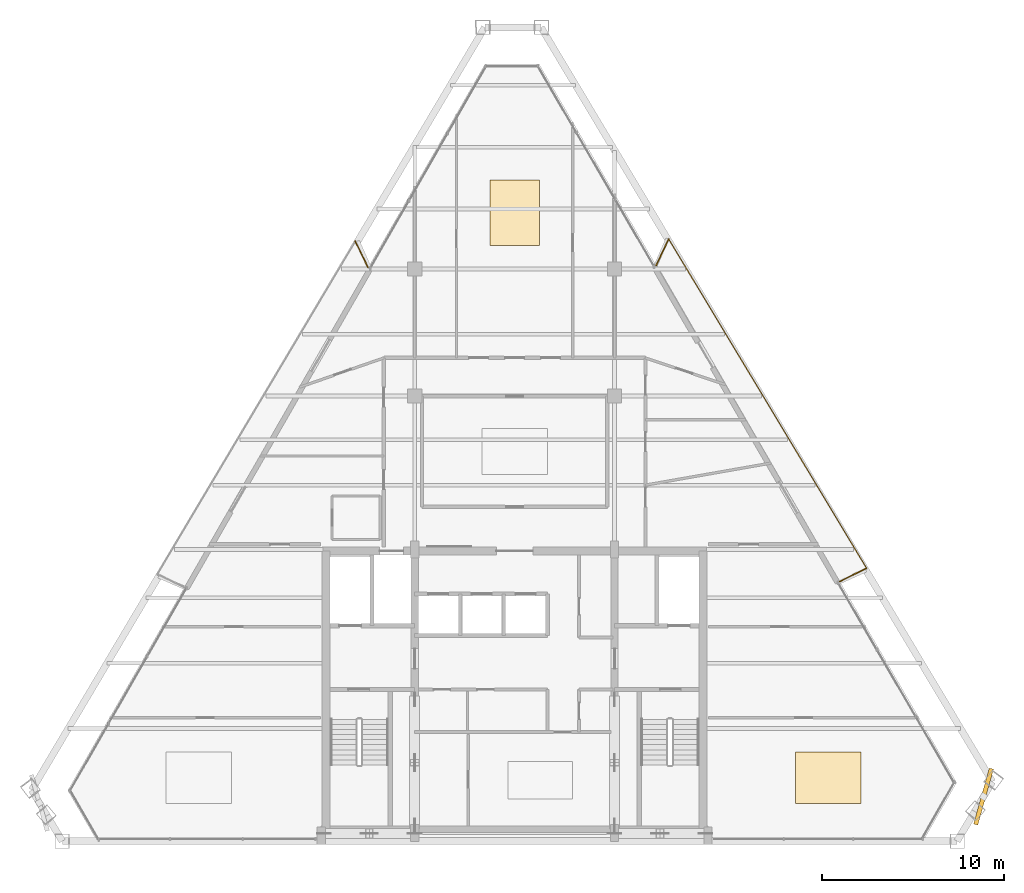
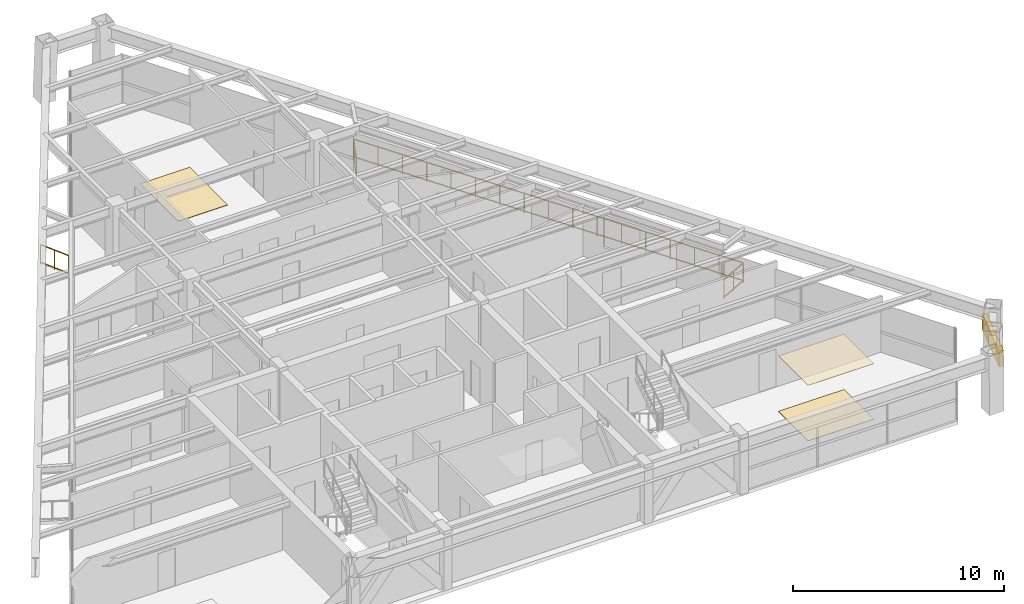
# One storey, part 13 of 13: 4 railings, 3 coverings, 1 shading device.
"""IFC4 building model written with IfcOpenShell, lengths in metres."""

from ifc_helpers import new_model, si_unit, direction, frame, origin, origin_2d, place, context, subcontext, project, spatial, rectangle, extrude, source, transform, mapped, material, layer, layer_set, type_object, type_shapes, element, save


model = new_model("IFC4")

# Units and contexts
model_context = context("Model", 3, precision=1e-05, world=origin(), true_north=direction((0.0, 1.0)))
body_context = subcontext(model_context, "Body", "Model", "MODEL_VIEW")
ifc_project = project(units=[si_unit("LENGTHUNIT", "METRE"), si_unit("AREAUNIT", "SQUARE_METRE"), si_unit("VOLUMEUNIT", "CUBIC_METRE"), si_unit("PLANEANGLEUNIT", "RADIAN"), si_unit("MASSUNIT", "GRAM", prefix="KILO")], contexts=[model_context])

# Site, building, storey
site_placement = place(None, origin())
site = spatial("IfcSite", under=ifc_project, at=site_placement, CompositionType="ELEMENT")
building_placement = place(site_placement, origin())
building = spatial("IfcBuilding", under=site, at=building_placement, Name="Varnakhor Terracotta Tower", CompositionType="ELEMENT")
storey_placement = place(building_placement, frame((0.0, 0.0, 290.25)))
storey = spatial("IfcBuildingStorey", under=building, at=storey_placement, Name="L76", CompositionType="ELEMENT", Elevation=290.25)

# Railings
ifc_material_1 = material(Name="Stainless Steel & Laminated Glass Guardrail", Category="steel")
railing_type = type_object("IfcRailingType", Name="RLG-LOGGIA-GUARD-1150", PredefinedType="GUARDRAIL", material=ifc_material_1)
railing_1_placement = place(storey_placement, frame((7.78759765625, 31.694580078125, 0.0)))
element("IfcRailing", 1, at=railing_1_placement, inside=storey, type_object=railing_type, Name="L76 E Loggia Glass Guard 1", PredefinedType="GUARDRAIL", context=body_context, shape_type="SweptSolid", body=[
    extrude(rectangle(XDim=0.048095703125, YDim=0.048095703125, at=origin_2d()), frame((0.0, 0.0, 1.1259765625), z_axis=(0.430033957897, 0.902812713166, 0.0), x_axis=(-0.902812713166, 0.430033957897, 0.0)), (0.0, 0.0, 1.0), 1.60498046875),
    extrude(rectangle(XDim=0.048095703125, YDim=0.048095703125, at=origin_2d()), frame((0.0, 0.0, 0.10009765625), z_axis=(0.430033957897, 0.902812713166, 0.0), x_axis=(-0.902812713166, 0.430033957897, 0.0)), (0.0, 0.0, 1.0), 1.60498046875),
    extrude(rectangle(XDim=0.0419921875, YDim=0.0419921875, at=origin_2d()), origin(), (0.0, 0.0, 1.0), 1.101806640625),
    extrude(rectangle(XDim=0.0419921875, YDim=0.0419921875, at=origin_2d()), frame((0.34521484375, 0.724609375, 0.0)), (0.0, 0.0, 1.0), 1.101806640625),
    extrude(rectangle(XDim=0.0419921875, YDim=0.0419921875, at=origin_2d()), frame((0.690185546875, 1.448974609375, 0.0)), (0.0, 0.0, 1.0), 1.101806640625),
])
railing_2_placement = place(storey_placement, frame((8.477783203125, 33.1435546875, 0.0)))
element("IfcRailing", 2, at=railing_2_placement, inside=storey, type_object=railing_type, Name="L76 E Loggia Glass Guard 2", PredefinedType="GUARDRAIL", context=body_context, shape_type="SweptSolid", body=[
    extrude(rectangle(XDim=0.048095703125, YDim=0.048095703125, at=origin_2d()), frame((0.0, 0.0, 1.1259765625), z_axis=(0.515178312142, -0.857083022057, 0.0), x_axis=(0.857083022057, 0.515178312142, 0.0)), (0.0, 0.0, 1.0), 21.140380859375),
    extrude(rectangle(XDim=0.048095703125, YDim=0.048095703125, at=origin_2d()), frame((0.0, 0.0, 0.10009765625), z_axis=(0.515178312142, -0.857083022057, 0.0), x_axis=(0.857083022057, 0.515178312142, 0.0)), (0.0, 0.0, 1.0), 21.140380859375),
    extrude(rectangle(XDim=0.0419921875, YDim=0.0419921875, at=origin_2d()), origin(), (0.0, 0.0, 1.0), 1.101806640625),
    extrude(rectangle(XDim=0.0419921875, YDim=0.0419921875, at=origin_2d()), frame((0.6806640625, -1.13232421875, 0.0)), (0.0, 0.0, 1.0), 1.101806640625),
    extrude(rectangle(XDim=0.0419921875, YDim=0.0419921875, at=origin_2d()), frame((1.361328125, -2.264892578125, 0.0)), (0.0, 0.0, 1.0), 1.101806640625),
    extrude(rectangle(XDim=0.0419921875, YDim=0.0419921875, at=origin_2d()), frame((2.0419921875, -3.3974609375, 0.0)), (0.0, 0.0, 1.0), 1.101806640625),
    extrude(rectangle(XDim=0.0419921875, YDim=0.0419921875, at=origin_2d()), frame((2.72265625, -4.52978515625, 0.0)), (0.0, 0.0, 1.0), 1.101806640625),
    extrude(rectangle(XDim=0.0419921875, YDim=0.0419921875, at=origin_2d()), frame((3.403564453125, -5.662109375, 0.0)), (0.0, 0.0, 1.0), 1.101806640625),
    extrude(rectangle(XDim=0.0419921875, YDim=0.0419921875, at=origin_2d()), frame((4.084228515625, -6.794677734375, 0.0)), (0.0, 0.0, 1.0), 1.101806640625),
    extrude(rectangle(XDim=0.0419921875, YDim=0.0419921875, at=origin_2d()), frame((4.764892578125, -7.92724609375, 0.0)), (0.0, 0.0, 1.0), 1.101806640625),
    extrude(rectangle(XDim=0.0419921875, YDim=0.0419921875, at=origin_2d()), frame((5.445556640625, -9.0595703125, 0.0)), (0.0, 0.0, 1.0), 1.101806640625),
    extrude(rectangle(XDim=0.0419921875, YDim=0.0419921875, at=origin_2d()), frame((6.126220703125, -10.19189453125, 0.0)), (0.0, 0.0, 1.0), 1.101806640625),
    extrude(rectangle(XDim=0.0419921875, YDim=0.0419921875, at=origin_2d()), frame((6.806884765625, -11.324462890625, 0.0)), (0.0, 0.0, 1.0), 1.101806640625),
    extrude(rectangle(XDim=0.0419921875, YDim=0.0419921875, at=origin_2d()), frame((7.487548828125, -12.45703125, 0.0)), (0.0, 0.0, 1.0), 1.101806640625),
    extrude(rectangle(XDim=0.0419921875, YDim=0.0419921875, at=origin_2d()), frame((8.16845703125, -13.58935546875, 0.0)), (0.0, 0.0, 1.0), 1.101806640625),
    extrude(rectangle(XDim=0.0419921875, YDim=0.0419921875, at=origin_2d()), frame((8.84912109375, -14.7216796875, 0.0)), (0.0, 0.0, 1.0), 1.101806640625),
    extrude(rectangle(XDim=0.0419921875, YDim=0.0419921875, at=origin_2d()), frame((9.52978515625, -15.854248046875, 0.0)), (0.0, 0.0, 1.0), 1.101806640625),
    extrude(rectangle(XDim=0.0419921875, YDim=0.0419921875, at=origin_2d()), frame((10.21044921875, -16.98681640625, 0.0)), (0.0, 0.0, 1.0), 1.101806640625),
    extrude(rectangle(XDim=0.0419921875, YDim=0.0419921875, at=origin_2d()), frame((10.89111328125, -18.119140625, 0.0)), (0.0, 0.0, 1.0), 1.101806640625),
])
railing_3_placement = place(storey_placement, frame((19.368896484375, 15.0244140625, 0.0)))
element("IfcRailing", 3, at=railing_3_placement, inside=storey, type_object=railing_type, Name="L76 E Loggia Glass Guard 3", PredefinedType="GUARDRAIL", context=body_context, shape_type="SweptSolid", body=[
    extrude(rectangle(XDim=0.048095703125, YDim=0.048095703125, at=origin_2d()), frame((0.0, 0.0, 1.1259765625), z_axis=(-0.896705934503, -0.44262678074, 0.0), x_axis=(0.44262678074, -0.896705934503, 0.0)), (0.0, 0.0, 1.0), 1.641357421875),
    extrude(rectangle(XDim=0.048095703125, YDim=0.048095703125, at=origin_2d()), frame((0.0, 0.0, 0.10009765625), z_axis=(-0.896705934503, -0.44262678074, 0.0), x_axis=(0.44262678074, -0.896705934503, 0.0)), (0.0, 0.0, 1.0), 1.641357421875),
    extrude(rectangle(XDim=0.0419921875, YDim=0.0419921875, at=origin_2d()), origin(), (0.0, 0.0, 1.0), 1.101806640625),
    extrude(rectangle(XDim=0.0419921875, YDim=0.0419921875, at=origin_2d()), frame((-0.73583984375, -0.36328125, 0.0)), (0.0, 0.0, 1.0), 1.101806640625),
    extrude(rectangle(XDim=0.0419921875, YDim=0.0419921875, at=origin_2d()), frame((-1.471923828125, -0.7265625, 0.0)), (0.0, 0.0, 1.0), 1.101806640625),
])
railing_4_placement = place(storey_placement, frame((-8.767578125, 33.01611328125, 0.0)))
element("IfcRailing", 4, at=railing_4_placement, inside=storey, type_object=railing_type, Name="L76 W Loggia Glass Guard 3", PredefinedType="GUARDRAIL", context=body_context, shape_type="SweptSolid", body=[
    extrude(rectangle(XDim=0.048095703125, YDim=0.048095703125, at=origin_2d()), frame((0.0, 0.0, 1.1259765625), z_axis=(0.434305809499, -0.900765487702, 0.0), x_axis=(0.900765487702, 0.434305809499, 0.0)), (0.0, 0.0, 1.0), 1.60205078125),
    extrude(rectangle(XDim=0.048095703125, YDim=0.048095703125, at=origin_2d()), frame((0.0, 0.0, 0.10009765625), z_axis=(0.434305809499, -0.900765487702, 0.0), x_axis=(0.900765487702, 0.434305809499, 0.0)), (0.0, 0.0, 1.0), 1.60205078125),
    extrude(rectangle(XDim=0.0419921875, YDim=0.0419921875, at=origin_2d()), origin(), (0.0, 0.0, 1.0), 1.101806640625),
    extrude(rectangle(XDim=0.0419921875, YDim=0.0419921875, at=origin_2d()), frame((0.347900390625, -0.7216796875, 0.0)), (0.0, 0.0, 1.0), 1.101806640625),
    extrude(rectangle(XDim=0.0419921875, YDim=0.0419921875, at=origin_2d()), frame((0.69580078125, -1.443115234375, 0.0)), (0.0, 0.0, 1.0), 1.101806640625),
])

# Shading device
ifc_material_2 = material(Name="Extruded Architectural Terracotta Screen", Category="masonry")
shading_device_type = type_object("IfcShadingDeviceType", Name="TERRACOTTA SOLAR SCREEN E", PredefinedType="USERDEFINED", material=ifc_material_2)
shared_shape_1 = source(origin(), body_context, "Body", "SweptSolid", [
    extrude(rectangle(XDim=3.199951171875, YDim=0.239990234375, at=origin_2d()), origin(), (0.0, 0.0, 1.0), 0.919921875),
])
type_shapes(shading_device_type, [shared_shape_1])
shading_device_placement = place(storey_placement, frame((25.80810546875, 2.455810546875, 1.56201171875), z_axis=(0.0, 0.0, 1.0), x_axis=(0.27076846326, 0.962644503077, 0.0)))
element("IfcShadingDevice", 5, at=shading_device_placement, inside=storey, type_object=shading_device_type, Name="L76 E Terracotta Solar Screen", ObjectType="SCREEN", PredefinedType="USERDEFINED", context=body_context, shape_type="MappedRepresentation", body=[
    mapped(shared_shape_1, transform((0.0, 0.0, 0.0), scale=1.0)),
])

# Coverings
ifc_material_3 = material(Name="Honed Riyadh Limestone Flooring", Category="masonry")
ifc_layer_1 = layer(ifc_material_3, 0.030029296875, Name="Honed Riyadh Limestone Flooring")
ifc_layer_set_1 = layer_set([ifc_layer_1], Name="Honed Riyadh Limestone Flooring")
covering_type_1 = type_object("IfcCoveringType", Name="COV-FLOOR-LIMESTONE", PredefinedType="FLOORING", material=ifc_layer_set_1)
shared_shape_2 = source(origin(), body_context, "Body", "SweptSolid", [
    extrude(rectangle(XDim=3.60009765625, YDim=2.83203125, at=origin_2d()), origin(), (0.0, 0.0, 1.0), 0.02001953125),
])
covering_1_placement = place(storey_placement, frame((17.262939453125, 3.50390625, 0.0), z_axis=(0.0, 0.0, 1.0), x_axis=(1.0, 0.0, 0.0)))
element("IfcCovering", 6, at=covering_1_placement, inside=storey, type_object=covering_type_1, Name="L76 Honed Stone Flooring 2", PredefinedType="FLOORING", context=body_context, shape_type="MappedRepresentation", body=[
    mapped(shared_shape_2, transform((0.0, 0.0, 0.0), scale=1.0)),
])
ifc_material_4 = material(Name="Perforated Acoustic Mineral-Fibre Ceiling", Category="gypsum")
ifc_layer_2 = layer(ifc_material_4, 0.02490234375, Name="Perforated Acoustic Mineral-Fibre Ceiling")
ifc_layer_set_2 = layer_set([ifc_layer_2], Name="Perforated Acoustic Mineral-Fibre Ceiling")
covering_type_2 = type_object("IfcCoveringType", Name="COV-CEILING-ACOUSTIC", PredefinedType="CEILING", material=ifc_layer_set_2)
shared_shape_3 = source(origin(), body_context, "Body", "SweptSolid", [
    extrude(rectangle(XDim=3.60009765625, YDim=2.83203125, at=origin_2d()), origin(), (0.0, 0.0, 1.0), 0.02392578125),
])
covering_2_placement = place(storey_placement, frame((17.262939453125, 3.50390625, 3.216064453125), z_axis=(0.0, 0.0, 1.0), x_axis=(1.0, 0.0, 0.0)))
element("IfcCovering", 7, at=covering_2_placement, inside=storey, type_object=covering_type_2, Name="L76 Acoustic Ceiling Panel 2", PredefinedType="CEILING", context=body_context, shape_type="MappedRepresentation", body=[
    mapped(shared_shape_3, transform((0.0, 0.0, 0.0), scale=1.0)),
])
shared_shape_4 = source(origin(), body_context, "Body", "SweptSolid", [
    extrude(rectangle(XDim=2.72705078125, YDim=3.60009765625, at=origin_2d()), origin(), (0.0, 0.0, 1.0), 0.02001953125),
])
covering_3_placement = place(storey_placement, frame((0.0, 34.592041015625, 0.0), z_axis=(0.0, 0.0, 1.0), x_axis=(1.0, 0.0, 0.0)))
element("IfcCovering", 8, at=covering_3_placement, inside=storey, type_object=covering_type_1, Name="L76 Honed Stone Flooring 5", PredefinedType="FLOORING", context=body_context, shape_type="MappedRepresentation", body=[
    mapped(shared_shape_4, transform((0.0, 0.0, 0.0), scale=1.0)),
])

save(model, "model.ifc")
